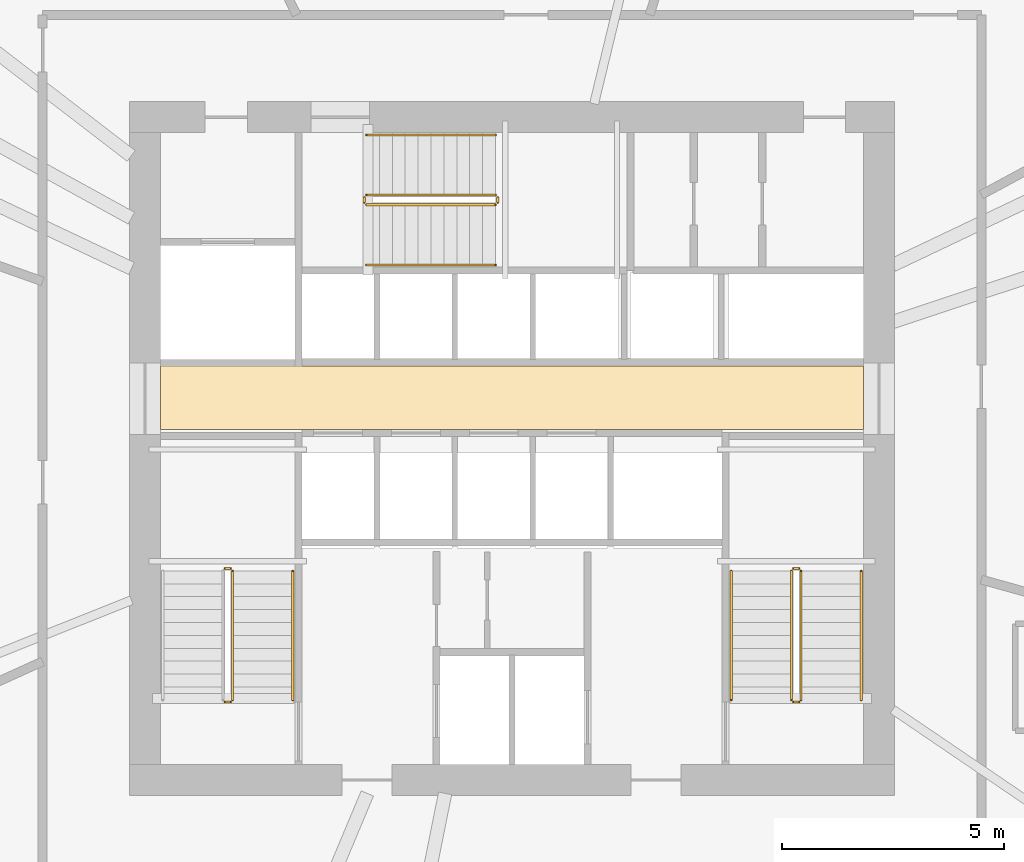
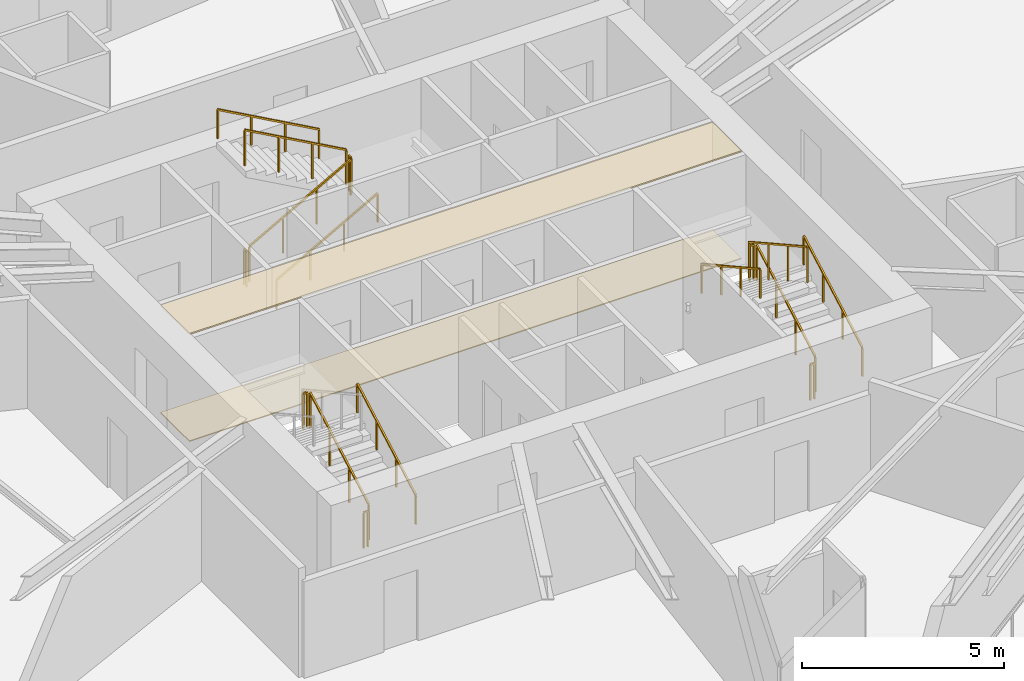
# One storey, part 17 of 18: 16 railings, 2 coverings.
"""IFC4 building model written with IfcOpenShell, lengths in metres."""

from ifc_helpers import new_model, si_unit, direction, frame, origin, origin_2d, place, context, subcontext, project, spatial, polyline, rectangle, outline, extrude, material, layer, layer_set, type_object, element, save


model = new_model("IFC4")

# Units and contexts
model_context = context("Model", 3, precision=1e-05, world=origin(), true_north=direction((0.0, 1.0)))
body_context = subcontext(model_context, "Body", "Model", "MODEL_VIEW")
ifc_project = project(units=[si_unit("LENGTHUNIT", "METRE"), si_unit("AREAUNIT", "SQUARE_METRE"), si_unit("VOLUMEUNIT", "CUBIC_METRE"), si_unit("PLANEANGLEUNIT", "RADIAN"), si_unit("MASSUNIT", "GRAM", prefix="KILO")], contexts=[model_context])

# Site, building, storey
site_placement = place(None, origin())
site = spatial("IfcSite", under=ifc_project, at=site_placement, CompositionType="ELEMENT")
building_placement = place(site_placement, origin())
building = spatial("IfcBuilding", under=site, at=building_placement, Name="Olszyna Solenne Hotel", CompositionType="ELEMENT")
storey_placement = place(building_placement, frame((0.0, 0.0, 119.89990234375)))
storey = spatial("IfcBuildingStorey", under=building, at=storey_placement, Name="L31", CompositionType="ELEMENT", Elevation=119.89990234375)

# Coverings
ifc_material_1 = material(Name="Mineral wool acoustic ceiling")
ifc_layer_1 = layer(ifc_material_1, 0.0400390625, Name="Mineral wool acoustic ceiling")
ifc_layer_set_1 = layer_set([ifc_layer_1], Name="Mineral wool acoustic ceiling")
covering_type_1 = type_object("IfcCoveringType", Name="CL-AC1", PredefinedType="CEILING", material=ifc_layer_set_1)
covering_1_placement = place(storey_placement, frame((0.0, 0.0, 3.239990234375)))
element("IfcCovering", 1, at=covering_1_placement, inside=storey, type_object=covering_type_1, Name="Lift lobby acoustic tile ceiling CL-L31-01", PredefinedType="CEILING", context=body_context, shape_type="SweptSolid", body=[
    extrude(outline(polyline([(30.10009765625, 27.030029296875), (45.89990234375, 27.030029296875), (45.89990234375, 28.4599609375), (30.10009765625, 28.4599609375), (30.10009765625, 27.030029296875)])), origin(), (0.0, 0.0, 1.0), 0.0400390625),
])
ifc_material_2 = material(Name="Ceramic floor tile")
ifc_layer_2 = layer(ifc_material_2, 0.030029296875, Name="Ceramic floor tile")
ifc_layer_set_2 = layer_set([ifc_layer_2], Name="Ceramic floor tile")
covering_type_2 = type_object("IfcCoveringType", Name="FL-TL1", PredefinedType="FLOORING", material=ifc_layer_set_2)
covering_2_placement = place(storey_placement, origin())
element("IfcCovering", 2, at=covering_2_placement, inside=storey, type_object=covering_type_2, Name="Lift lobby stoneware floor finish FLR-L31-01", PredefinedType="FLOORING", context=body_context, shape_type="SweptSolid", body=[
    extrude(outline(polyline([(30.10009765625, 27.030029296875), (45.89990234375, 27.030029296875), (45.89990234375, 28.4599609375), (30.10009765625, 28.4599609375), (30.10009765625, 27.030029296875)])), origin(), (0.0, 0.0, 1.0), 0.030029296875),
])

# Railings
ifc_material_3 = material(Name="Anodised bronze aluminium", Category="aluminium")
railing_type_1 = type_object("IfcRailingType", Name="GR-110", PredefinedType="BALUSTRADE", material=ifc_material_3)
railing_1_placement = place(storey_placement, frame((31.719970703125, 20.949951171875, 0.161376953125)))
element("IfcRailing", 3, at=railing_1_placement, inside=storey, type_object=railing_type_1, Name="L31 ST1 stair guard 1", PredefinedType="BALUSTRADE", context=body_context, shape_type="SweptSolid", body=[
    extrude(rectangle(XDim=0.048095703125, YDim=0.048095703125, at=origin_2d()), frame((0.0, 0.0, 1.076171875), z_axis=(0.0, 0.873827439584, 0.48623616261), x_axis=(-1.0, 0.0, 0.0)), (0.0, 0.0, 1.0), 3.31884765625),
    extrude(rectangle(XDim=0.0419921875, YDim=0.0419921875, at=origin_2d()), origin(), (0.0, 0.0, 1.0), 1.052001953125),
    extrude(rectangle(XDim=0.0419921875, YDim=0.0419921875, at=origin_2d()), frame((0.0, 0.966796875, 0.537841796875)), (0.0, 0.0, 1.0), 1.052001953125),
    extrude(rectangle(XDim=0.0419921875, YDim=0.0419921875, at=origin_2d()), frame((0.0, 1.933349609375, 1.075927734375)), (0.0, 0.0, 1.0), 1.052001953125),
    extrude(rectangle(XDim=0.0419921875, YDim=0.0419921875, at=origin_2d()), frame((0.0, 2.900146484375, 1.61376953125)), (0.0, 0.0, 1.0), 1.052001953125),
])
for number, where, name in (
    (4, (31.669921875, 23.89990234375, 1.775146484375), "L31 ST1 stair guard 2"),
    (5, (31.669921875, 20.89990234375, 0.0), "L31 ST1 stair guard 4"),
):
    element("IfcRailing", number, at=place(storey_placement, frame(where)), inside=storey, type_object=railing_type_1, Name=name, PredefinedType="BALUSTRADE", context=body_context, shape_type="SweptSolid", body=[
        extrude(rectangle(XDim=0.048095703125, YDim=0.048095703125, at=origin_2d()), frame((0.0, 0.0, 1.076171875), z_axis=(-1.0, 0.0, 0.0), x_axis=(0.0, -1.0, 0.0)), (0.0, 0.0, 1.0), 0.119873046875),
        extrude(rectangle(XDim=0.0419921875, YDim=0.0419921875, at=origin_2d()), origin(), (0.0, 0.0, 1.0), 1.052001953125),
        extrude(rectangle(XDim=0.0419921875, YDim=0.0419921875, at=origin_2d()), frame((-0.119873046875, 0.0, 0.0)), (0.0, 0.0, 1.0), 1.052001953125),
    ])
railing_2_placement = place(storey_placement, frame((44.5, 20.949951171875, 0.161376953125)))
element("IfcRailing", 6, at=railing_2_placement, inside=storey, type_object=railing_type_1, Name="L31 ST2 stair guard 1", PredefinedType="BALUSTRADE", context=body_context, shape_type="SweptSolid", body=[
    extrude(rectangle(XDim=0.048095703125, YDim=0.048095703125, at=origin_2d()), frame((0.0, 0.0, 1.076171875), z_axis=(0.0, 0.873827439584, 0.48623616261), x_axis=(-1.0, 0.0, 0.0)), (0.0, 0.0, 1.0), 3.31884765625),
    extrude(rectangle(XDim=0.0419921875, YDim=0.0419921875, at=origin_2d()), origin(), (0.0, 0.0, 1.0), 1.052001953125),
    extrude(rectangle(XDim=0.0419921875, YDim=0.0419921875, at=origin_2d()), frame((0.0, 0.966796875, 0.537841796875)), (0.0, 0.0, 1.0), 1.052001953125),
    extrude(rectangle(XDim=0.0419921875, YDim=0.0419921875, at=origin_2d()), frame((0.0, 1.933349609375, 1.075927734375)), (0.0, 0.0, 1.0), 1.052001953125),
    extrude(rectangle(XDim=0.0419921875, YDim=0.0419921875, at=origin_2d()), frame((0.0, 2.900146484375, 1.61376953125)), (0.0, 0.0, 1.0), 1.052001953125),
])
railing_3_placement = place(storey_placement, frame((44.449951171875, 23.89990234375, 1.775146484375)))
element("IfcRailing", 7, at=railing_3_placement, inside=storey, type_object=railing_type_1, Name="L31 ST2 stair guard 2", PredefinedType="BALUSTRADE", context=body_context, shape_type="SweptSolid", body=[
    extrude(rectangle(XDim=0.048095703125, YDim=0.048095703125, at=origin_2d()), frame((0.0, 0.0, 1.076171875), z_axis=(-1.0, 0.0, 0.0), x_axis=(0.0, -1.0, 0.0)), (0.0, 0.0, 1.0), 0.119873046875),
    extrude(rectangle(XDim=0.0419921875, YDim=0.0419921875, at=origin_2d()), origin(), (0.0, 0.0, 1.0), 1.052001953125),
    extrude(rectangle(XDim=0.0419921875, YDim=0.0419921875, at=origin_2d()), frame((-0.119873046875, 0.0, 0.0)), (0.0, 0.0, 1.0), 1.052001953125),
])
railing_4_placement = place(storey_placement, frame((44.280029296875, 23.85009765625, 1.9365234375)))
element("IfcRailing", 8, at=railing_4_placement, inside=storey, type_object=railing_type_1, Name="L31 ST2 stair guard 3", PredefinedType="BALUSTRADE", context=body_context, shape_type="SweptSolid", body=[
    extrude(rectangle(XDim=0.048095703125, YDim=0.048095703125, at=origin_2d()), frame((0.0, 0.0, 1.076171875), z_axis=(0.0, -0.873858693841, 0.486179990537), x_axis=(1.0, 0.0, 0.0)), (0.0, 0.0, 1.0), 3.31884765625),
    extrude(rectangle(XDim=0.0419921875, YDim=0.0419921875, at=origin_2d()), origin(), (0.0, 0.0, 1.0), 1.052001953125),
    extrude(rectangle(XDim=0.0419921875, YDim=0.0419921875, at=origin_2d()), frame((0.0, -0.966796875, 0.537841796875)), (0.0, 0.0, 1.0), 1.052001953125),
    extrude(rectangle(XDim=0.0419921875, YDim=0.0419921875, at=origin_2d()), frame((0.0, -1.933349609375, 1.07568359375)), (0.0, 0.0, 1.0), 1.052001953125),
    extrude(rectangle(XDim=0.0419921875, YDim=0.0419921875, at=origin_2d()), frame((0.0, -2.900146484375, 1.613525390625)), (0.0, 0.0, 1.0), 1.052001953125),
])
railing_5_placement = place(storey_placement, frame((44.449951171875, 20.89990234375, 0.0)))
element("IfcRailing", 9, at=railing_5_placement, inside=storey, type_object=railing_type_1, Name="L31 ST2 stair guard 4", PredefinedType="BALUSTRADE", context=body_context, shape_type="SweptSolid", body=[
    extrude(rectangle(XDim=0.048095703125, YDim=0.048095703125, at=origin_2d()), frame((0.0, 0.0, 1.076171875), z_axis=(-1.0, 0.0, 0.0), x_axis=(0.0, -1.0, 0.0)), (0.0, 0.0, 1.0), 0.119873046875),
    extrude(rectangle(XDim=0.0419921875, YDim=0.0419921875, at=origin_2d()), origin(), (0.0, 0.0, 1.0), 1.052001953125),
    extrude(rectangle(XDim=0.0419921875, YDim=0.0419921875, at=origin_2d()), frame((-0.119873046875, 0.0, 0.0)), (0.0, 0.0, 1.0), 1.052001953125),
])
railing_6_placement = place(storey_placement, frame((34.72998046875, 32.080078125, 0.161376953125)))
element("IfcRailing", 10, at=railing_6_placement, inside=storey, type_object=railing_type_1, Name="L31 ST3 stair guard 1", PredefinedType="BALUSTRADE", context=body_context, shape_type="SweptSolid", body=[
    extrude(rectangle(XDim=0.048095703125, YDim=0.048095703125, at=origin_2d()), frame((0.0, 0.0, 1.076171875), z_axis=(0.873810046276, 0.0, 0.486267419253), x_axis=(0.0, 1.0, 0.0)), (0.0, 0.0, 1.0), 3.318603515625),
    extrude(rectangle(XDim=0.0419921875, YDim=0.0419921875, at=origin_2d()), origin(), (0.0, 0.0, 1.0), 1.052001953125),
    extrude(rectangle(XDim=0.0419921875, YDim=0.0419921875, at=origin_2d()), frame((0.966552734375, 0.0, 0.537841796875)), (0.0, 0.0, 1.0), 1.052001953125),
    extrude(rectangle(XDim=0.0419921875, YDim=0.0419921875, at=origin_2d()), frame((1.933349609375, 0.0, 1.075927734375)), (0.0, 0.0, 1.0), 1.052001953125),
    extrude(rectangle(XDim=0.0419921875, YDim=0.0419921875, at=origin_2d()), frame((2.89990234375, 0.0, 1.61376953125)), (0.0, 0.0, 1.0), 1.052001953125),
])
railing_7_placement = place(storey_placement, frame((37.679931640625, 32.1298828125, 1.775146484375)))
element("IfcRailing", 11, at=railing_7_placement, inside=storey, type_object=railing_type_1, Name="L31 ST3 stair guard 2", PredefinedType="BALUSTRADE", context=body_context, shape_type="SweptSolid", body=[
    extrude(rectangle(XDim=0.048095703125, YDim=0.048095703125, at=origin_2d()), frame((0.0, 0.0, 1.076171875), z_axis=(0.0, 1.0, 0.0), x_axis=(-1.0, 0.0, 0.0)), (0.0, 0.0, 1.0), 0.1201171875),
    extrude(rectangle(XDim=0.0419921875, YDim=0.0419921875, at=origin_2d()), origin(), (0.0, 0.0, 1.0), 1.052001953125),
    extrude(rectangle(XDim=0.0419921875, YDim=0.0419921875, at=origin_2d()), frame((0.0, 0.1201171875, 0.0)), (0.0, 0.0, 1.0), 1.052001953125),
])
railing_8_placement = place(storey_placement, frame((37.6298828125, 32.300048828125, 1.9365234375)))
element("IfcRailing", 12, at=railing_8_placement, inside=storey, type_object=railing_type_1, Name="L31 ST3 stair guard 3", PredefinedType="BALUSTRADE", context=body_context, shape_type="SweptSolid", body=[
    extrude(rectangle(XDim=0.048095703125, YDim=0.048095703125, at=origin_2d()), frame((0.0, 0.0, 1.076171875), z_axis=(-0.873841303929, 0.0, 0.486211245805), x_axis=(0.0, -1.0, 0.0)), (0.0, 0.0, 1.0), 3.318603515625),
    extrude(rectangle(XDim=0.0419921875, YDim=0.0419921875, at=origin_2d()), origin(), (0.0, 0.0, 1.0), 1.052001953125),
    extrude(rectangle(XDim=0.0419921875, YDim=0.0419921875, at=origin_2d()), frame((-0.966552734375, 0.0, 0.537841796875)), (0.0, 0.0, 1.0), 1.052001953125),
    extrude(rectangle(XDim=0.0419921875, YDim=0.0419921875, at=origin_2d()), frame((-1.933349609375, 0.0, 1.07568359375)), (0.0, 0.0, 1.0), 1.052001953125),
    extrude(rectangle(XDim=0.0419921875, YDim=0.0419921875, at=origin_2d()), frame((-2.89990234375, 0.0, 1.613525390625)), (0.0, 0.0, 1.0), 1.052001953125),
])
railing_9_placement = place(storey_placement, frame((34.679931640625, 32.1298828125, 0.0)))
element("IfcRailing", 13, at=railing_9_placement, inside=storey, type_object=railing_type_1, Name="L31 ST3 stair guard 4", PredefinedType="BALUSTRADE", context=body_context, shape_type="SweptSolid", body=[
    extrude(rectangle(XDim=0.048095703125, YDim=0.048095703125, at=origin_2d()), frame((0.0, 0.0, 1.076171875), z_axis=(0.0, 1.0, 0.0), x_axis=(-1.0, 0.0, 0.0)), (0.0, 0.0, 1.0), 0.1201171875),
    extrude(rectangle(XDim=0.0419921875, YDim=0.0419921875, at=origin_2d()), origin(), (0.0, 0.0, 1.0), 1.052001953125),
    extrude(rectangle(XDim=0.0419921875, YDim=0.0419921875, at=origin_2d()), frame((0.0, 0.1201171875, 0.0)), (0.0, 0.0, 1.0), 1.052001953125),
])
ifc_material_4 = material(Name="Steel S355J2", Category="steel")
railing_type_2 = type_object("IfcRailingType", Name="HR-090", PredefinedType="HANDRAIL", material=ifc_material_4)
for number, where, name in (
    (14, (33.070068359375, 20.949951171875, 0.161376953125), "L31 ST1 stair handrail 1"),
    (15, (45.85009765625, 20.949951171875, 0.161376953125), "L31 ST2 stair handrail 1"),
):
    element("IfcRailing", number, at=place(storey_placement, frame(where)), inside=storey, type_object=railing_type_2, Name=name, PredefinedType="HANDRAIL", context=body_context, shape_type="SweptSolid", body=[
        extrude(rectangle(XDim=0.048095703125, YDim=0.048095703125, at=origin_2d()), frame((0.0, 0.0, 0.8759765625), z_axis=(0.0, 0.873827439584, 0.48623616261), x_axis=(-1.0, 0.0, 0.0)), (0.0, 0.0, 1.0), 3.31884765625),
        extrude(rectangle(XDim=0.0419921875, YDim=0.0419921875, at=origin_2d()), origin(), (0.0, 0.0, 1.0), 0.851806640625),
        extrude(rectangle(XDim=0.0419921875, YDim=0.0419921875, at=origin_2d()), frame((0.0, 0.966796875, 0.537841796875)), (0.0, 0.0, 1.0), 0.851806640625),
        extrude(rectangle(XDim=0.0419921875, YDim=0.0419921875, at=origin_2d()), frame((0.0, 1.933349609375, 1.075927734375)), (0.0, 0.0, 1.0), 0.851806640625),
        extrude(rectangle(XDim=0.0419921875, YDim=0.0419921875, at=origin_2d()), frame((0.0, 2.900146484375, 1.61376953125)), (0.0, 0.0, 1.0), 0.851806640625),
    ])
railing_10_placement = place(storey_placement, frame((42.929931640625, 23.85009765625, 1.9365234375)))
element("IfcRailing", 16, at=railing_10_placement, inside=storey, type_object=railing_type_2, Name="L31 ST2 stair handrail 2", PredefinedType="HANDRAIL", context=body_context, shape_type="SweptSolid", body=[
    extrude(rectangle(XDim=0.048095703125, YDim=0.048095703125, at=origin_2d()), frame((0.0, 0.0, 0.8759765625), z_axis=(0.0, -0.873858693841, 0.486179990537), x_axis=(1.0, 0.0, 0.0)), (0.0, 0.0, 1.0), 3.31884765625),
    extrude(rectangle(XDim=0.0419921875, YDim=0.0419921875, at=origin_2d()), origin(), (0.0, 0.0, 1.0), 0.851806640625),
    extrude(rectangle(XDim=0.0419921875, YDim=0.0419921875, at=origin_2d()), frame((0.0, -0.966796875, 0.537841796875)), (0.0, 0.0, 1.0), 0.851806640625),
    extrude(rectangle(XDim=0.0419921875, YDim=0.0419921875, at=origin_2d()), frame((0.0, -1.933349609375, 1.07568359375)), (0.0, 0.0, 1.0), 0.851806640625),
    extrude(rectangle(XDim=0.0419921875, YDim=0.0419921875, at=origin_2d()), frame((0.0, -2.900146484375, 1.613525390625)), (0.0, 0.0, 1.0), 0.851806640625),
])
railing_11_placement = place(storey_placement, frame((34.72998046875, 30.72998046875, 0.161376953125)))
element("IfcRailing", 17, at=railing_11_placement, inside=storey, type_object=railing_type_2, Name="L31 ST3 stair handrail 1", PredefinedType="HANDRAIL", context=body_context, shape_type="SweptSolid", body=[
    extrude(rectangle(XDim=0.048095703125, YDim=0.048095703125, at=origin_2d()), frame((0.0, 0.0, 0.8759765625), z_axis=(0.873810046276, 0.0, 0.486267419253), x_axis=(0.0, 1.0, 0.0)), (0.0, 0.0, 1.0), 3.318603515625),
    extrude(rectangle(XDim=0.0419921875, YDim=0.0419921875, at=origin_2d()), origin(), (0.0, 0.0, 1.0), 0.851806640625),
    extrude(rectangle(XDim=0.0419921875, YDim=0.0419921875, at=origin_2d()), frame((0.966552734375, 0.0, 0.537841796875)), (0.0, 0.0, 1.0), 0.851806640625),
    extrude(rectangle(XDim=0.0419921875, YDim=0.0419921875, at=origin_2d()), frame((1.933349609375, 0.0, 1.075927734375)), (0.0, 0.0, 1.0), 0.851806640625),
    extrude(rectangle(XDim=0.0419921875, YDim=0.0419921875, at=origin_2d()), frame((2.89990234375, 0.0, 1.61376953125)), (0.0, 0.0, 1.0), 0.851806640625),
])
railing_12_placement = place(storey_placement, frame((37.6298828125, 33.64990234375, 1.9365234375)))
element("IfcRailing", 18, at=railing_12_placement, inside=storey, type_object=railing_type_2, Name="L31 ST3 stair handrail 2", PredefinedType="HANDRAIL", context=body_context, shape_type="SweptSolid", body=[
    extrude(rectangle(XDim=0.048095703125, YDim=0.048095703125, at=origin_2d()), frame((0.0, 0.0, 0.8759765625), z_axis=(-0.873841303929, 0.0, 0.486211245805), x_axis=(0.0, -1.0, 0.0)), (0.0, 0.0, 1.0), 3.318603515625),
    extrude(rectangle(XDim=0.0419921875, YDim=0.0419921875, at=origin_2d()), origin(), (0.0, 0.0, 1.0), 0.851806640625),
    extrude(rectangle(XDim=0.0419921875, YDim=0.0419921875, at=origin_2d()), frame((-0.966552734375, 0.0, 0.537841796875)), (0.0, 0.0, 1.0), 0.851806640625),
    extrude(rectangle(XDim=0.0419921875, YDim=0.0419921875, at=origin_2d()), frame((-1.933349609375, 0.0, 1.07568359375)), (0.0, 0.0, 1.0), 0.851806640625),
    extrude(rectangle(XDim=0.0419921875, YDim=0.0419921875, at=origin_2d()), frame((-2.89990234375, 0.0, 1.613525390625)), (0.0, 0.0, 1.0), 0.851806640625),
])

save(model, "model.ifc")
